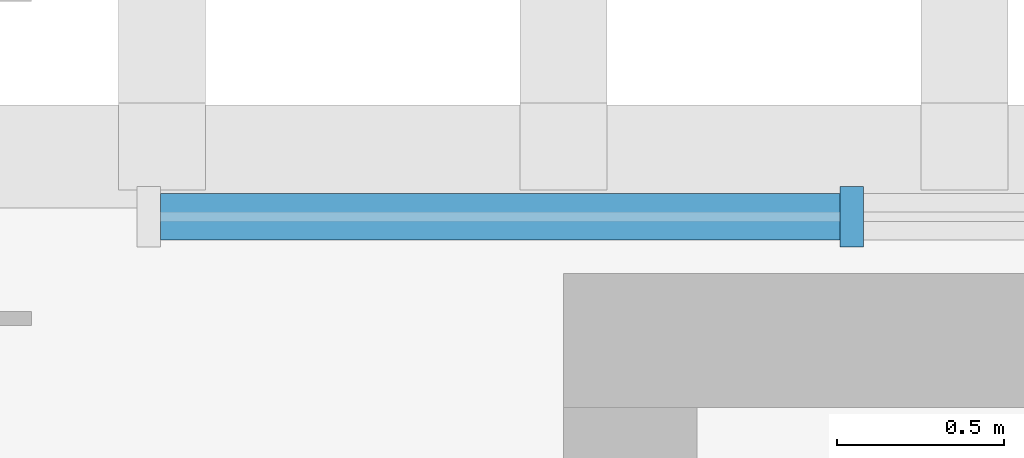
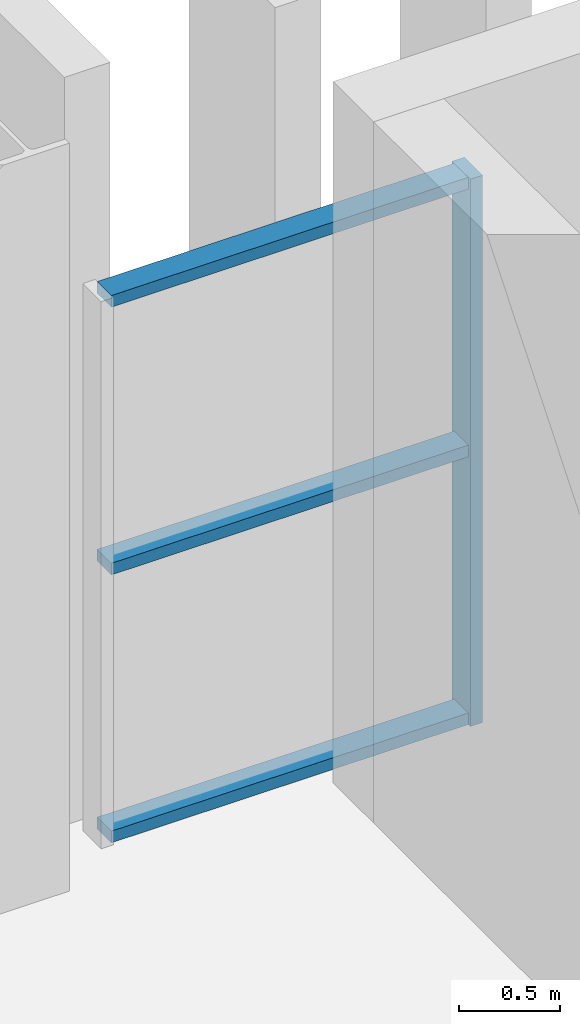
# One storey, part 23 of 92: 4 members, 1 element without a shape of its own.
"""IFC4 building model written with IfcOpenShell, lengths in metres."""

from ifc_helpers import new_model, si_unit, direction, frame, origin, origin_2d, place, context, subcontext, project, spatial, rectangle, extrude, material, layer, layer_set, material_profile, profile_set, type_object, element, aggregate, save


model = new_model("IFC4")

# Units and contexts
model_context = context("Model", 3, precision=1e-05, world=origin(), true_north=direction((0.0, 1.0)))
body_context = subcontext(model_context, "Body", "Model", "MODEL_VIEW")
ifc_project = project(units=[si_unit("LENGTHUNIT", "METRE"), si_unit("AREAUNIT", "SQUARE_METRE"), si_unit("VOLUMEUNIT", "CUBIC_METRE"), si_unit("PLANEANGLEUNIT", "RADIAN"), si_unit("MASSUNIT", "GRAM", prefix="KILO")], contexts=[model_context])

# Site, building, storey
site_placement = place(None, origin())
site = spatial("IfcSite", under=ifc_project, at=site_placement, CompositionType="ELEMENT")
building_placement = place(site_placement, origin())
building = spatial("IfcBuilding", under=site, at=building_placement, Name="Caelomonte Colonnade Arena", CompositionType="ELEMENT")
storey_placement = place(building_placement, frame((0.0, 0.0, 9.60009765625)))
storey = spatial("IfcBuildingStorey", under=building, at=storey_placement, Name="L02", CompositionType="ELEMENT", Elevation=9.60009765625)

# Curtain wall, members
ifc_material_1 = material(Name="Bronze anodised aluminium and low-E glazing", Category="aluminium")
ifc_layer = layer(ifc_material_1, 0.179931640625)
ifc_layer_set = layer_set([ifc_layer], Name="Bronze anodised aluminium and low-E glazing")
curtain_wall_type = type_object("IfcCurtainWallType", Name="ENV-CW-CW-L02-96-33", PredefinedType="USERDEFINED", material=ifc_layer_set)
curtain_wall_placement = place(storey_placement, origin())
curtain_wall = element("IfcCurtainWall", 1, at=curtain_wall_placement, inside=storey, type_object=curtain_wall_type, Name="L02 unitized curtain wall CW-L02-1296-1150", ObjectType="UNITIZED CURTAIN WALL", PredefinedType="USERDEFINED")
ifc_material_2 = material(Name="Bronze anodised aluminium AA6063-T6", Category="aluminium")
ifc_material_profile_1 = material_profile(ifc_material_2, rectangle(XDim=0.070068359375, YDim=0.179931640625, at=origin_2d()), Name="CWM-70X180")
ifc_profile_set_1 = profile_set([ifc_material_profile_1], Name="Bronze anodised aluminium AA6063-T6")
member_type_1 = type_object("IfcMemberType", Name="ENV-CW-MULL1", PredefinedType="MULLION", material=ifc_profile_set_1)
member_1_placement = place(storey_placement, frame((127.462646484375, 115.02001953125, 0.0), z_axis=(0.0, 0.0, 1.0), x_axis=(-1.0, 0.0, 0.0)))
member_1 = element("IfcMember", 2, at=member_1_placement, type_object=member_type_1, Name="CW-L02-96-33 mullion 4", PredefinedType="MULLION", context=body_context, shape_type="SweptSolid", body=[
    extrude(rectangle(XDim=0.070068359375, YDim=0.179931640625, at=origin_2d()), origin(), (0.0, 0.0, 1.0), 3.29296875),
])
ifc_material_profile_2 = material_profile(ifc_material_2, rectangle(XDim=0.070068359375, YDim=0.139892578125, at=origin_2d()), Name="CWT-70X140")
ifc_profile_set_2 = profile_set([ifc_material_profile_2], Name="Bronze anodised aluminium AA6063-T6")
member_type_2 = type_object("IfcMemberType", Name="ENV-CW-TRAN1", PredefinedType="USERDEFINED", material=ifc_profile_set_2)
member_2_placement = place(storey_placement, frame((127.427734375, 115.02001953125, 0.034912109375), z_axis=(-1.0, 0.0, 0.0), x_axis=(0.0, 0.0, 1.0)))
member_2 = element("IfcMember", 3, at=member_2_placement, type_object=member_type_2, Name="CW-L02-96-33 transom 4.1", ObjectType="TRANSOM", PredefinedType="USERDEFINED", context=body_context, shape_type="SweptSolid", body=[
    extrude(rectangle(XDim=0.070068359375, YDim=0.139892578125, at=origin_2d()), origin(), (0.0, 0.0, 1.0), 2.0322265625),
])
member_3_placement = place(storey_placement, frame((127.427734375, 115.02001953125, 1.646484375), z_axis=(-1.0, 0.0, 0.0), x_axis=(0.0, 0.0, 1.0)))
member_3 = element("IfcMember", 4, at=member_3_placement, type_object=member_type_2, Name="CW-L02-96-33 transom 4.2", ObjectType="TRANSOM", PredefinedType="USERDEFINED", context=body_context, shape_type="SweptSolid", body=[
    extrude(rectangle(XDim=0.070068359375, YDim=0.139892578125, at=origin_2d()), origin(), (0.0, 0.0, 1.0), 2.0322265625),
])
member_4_placement = place(storey_placement, frame((127.427734375, 115.02001953125, 3.2578125), z_axis=(-1.0, 0.0, 0.0), x_axis=(0.0, 0.0, 1.0)))
member_4 = element("IfcMember", 5, at=member_4_placement, type_object=member_type_2, Name="CW-L02-96-33 transom 4.3", ObjectType="TRANSOM", PredefinedType="USERDEFINED", context=body_context, shape_type="SweptSolid", body=[
    extrude(rectangle(XDim=0.070068359375, YDim=0.139892578125, at=origin_2d()), origin(), (0.0, 0.0, 1.0), 2.0322265625),
])
aggregate(curtain_wall, [member_1, member_2, member_3, member_4])

save(model, "model.ifc")
